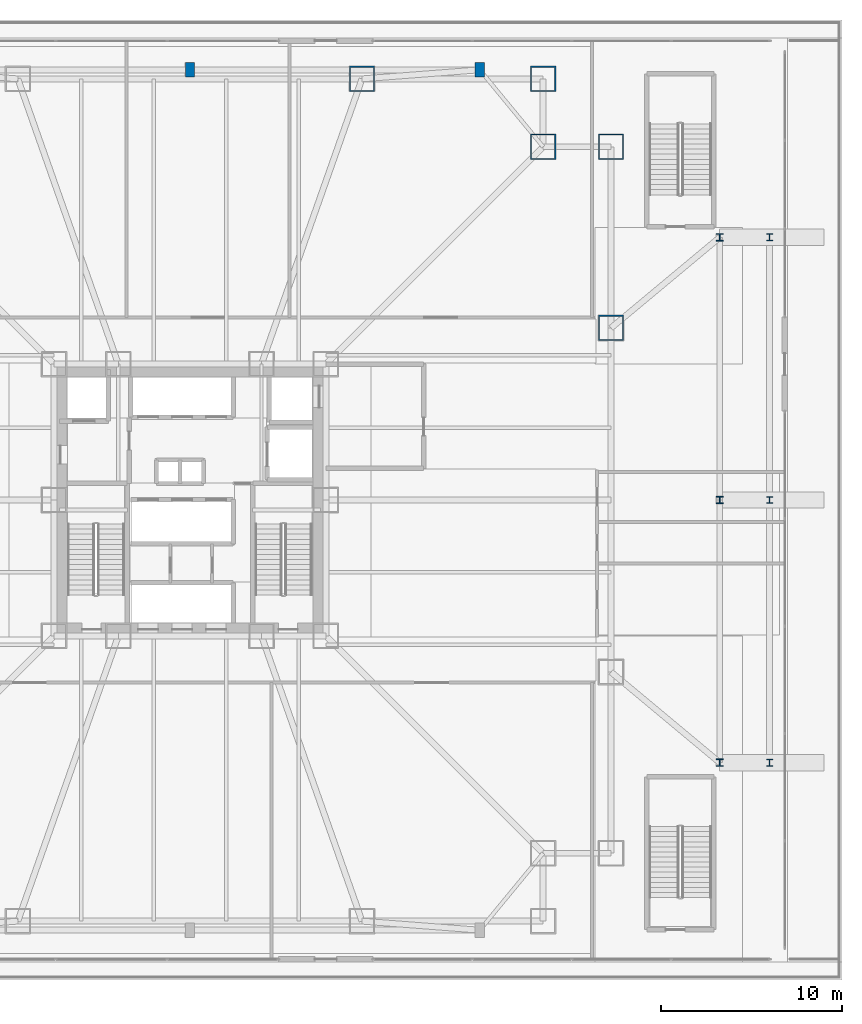
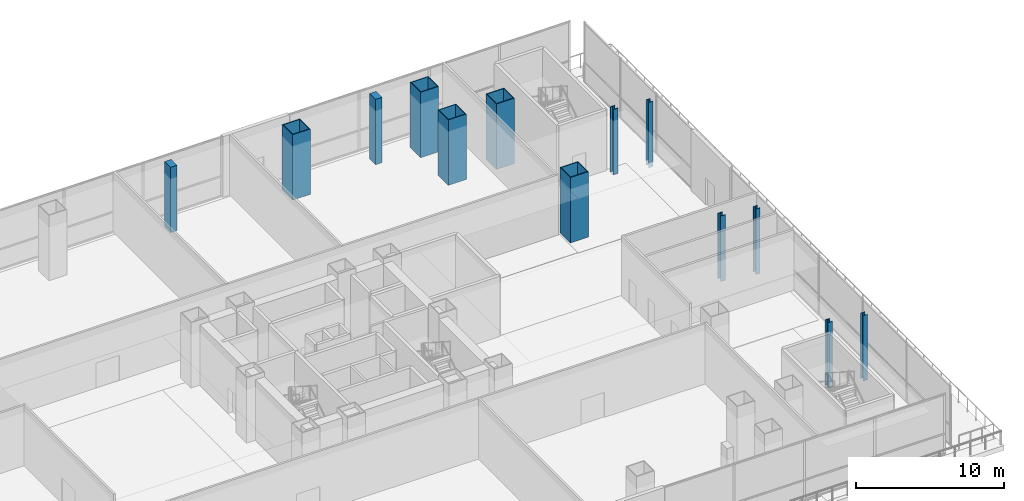
# One storey, part 4 of 36: 13 columns.
"""IFC4 building model written with IfcOpenShell, lengths in metres."""

import ifcopenshell
import ifcopenshell.guid

model = None  # the IFC model being written
_history = None  # IfcOwnerHistory: only IFC2X3 demands one
_inside = {}  # id of a spatial element -> (the spatial element, [elements in it])
_under = {}  # id of a project, library or spatial element -> (it, [spatial elements below it])
_declared = {}  # id of a project -> (the project, [libraries it declares])
_typed = {}  # id of a type object -> (the type object, [elements of that type])
_made_of = {}  # id of a material, layer set ... -> (it, [elements and type objects made of it])


def new_model(schema):
    """Start an empty IFC model of exactly this schema.

    Asked for "IFC4X3", IfcOpenShell would pick the latest addendum, in which some entities
    have other attributes; the version numbers below select the first issue.
    IFC2X3 requires an IfcOwnerHistory on every rooted entity: one is made here for all.
    """
    global model, _history
    if schema == "IFC4X3":
        model = ifcopenshell.file(schema_version=(4, 3, 0, 0))
    else:
        model = ifcopenshell.file(schema=schema)
    _inside.clear()
    _under.clear()
    _declared.clear()
    _typed.clear()
    _made_of.clear()
    _history = None
    if model.schema == "IFC2X3":
        org = make("IfcOrganization", Name="unknown")
        user = make(
            "IfcPersonAndOrganization",
            ThePerson=make("IfcPerson", FamilyName="unknown"),
            TheOrganization=org,
        )
        app = make(
            "IfcApplication",
            ApplicationDeveloper=org,
            Version="unknown",
            ApplicationFullName="unknown",
            ApplicationIdentifier="unknown",
        )
        _history = make(
            "IfcOwnerHistory",
            OwningUser=user,
            OwningApplication=app,
            ChangeAction="ADDED",
            CreationDate=0,
        )
    return model


def make(cls, **values):
    """One entity of the class cls with the attributes given. An attribute that is None is left unset."""
    return model.create_entity(
        cls, **{name: value for name, value in values.items() if value is not None}
    )


def rooted(cls, **values):
    """An entity with a GlobalId (a new one), such as an element, a storey or a relation."""
    return make(cls, GlobalId=ifcopenshell.guid.new(), OwnerHistory=_history, **values)


def si_unit(unit_type, name, prefix=None):
    """IfcSIUnit, for example si_unit("LENGTHUNIT", "METRE", prefix="MILLI")."""
    return make("IfcSIUnit", UnitType=unit_type, Prefix=prefix, Name=name)


def assignment(units):
    """IfcUnitAssignment: the units of a project."""
    return None if units is None else make("IfcUnitAssignment", Units=units)


def point(xyz):
    """IfcCartesianPoint."""
    return None if xyz is None else make("IfcCartesianPoint", Coordinates=xyz)


def direction(xyz):
    """IfcDirection."""
    return None if xyz is None else make("IfcDirection", DirectionRatios=xyz)


def frame(location, z_axis=None, x_axis=None):
    """IfcAxis2Placement3D, a coordinate frame: its origin and axes. An axis left out is left unset."""
    return make(
        "IfcAxis2Placement3D",
        Location=point(location),
        Axis=direction(z_axis),
        RefDirection=direction(x_axis),
    )


def frame_2d(location, x_axis=None):
    """IfcAxis2Placement2D, a coordinate frame in the plane: its origin and x axis."""
    return make(
        "IfcAxis2Placement2D", Location=point(location), RefDirection=direction(x_axis)
    )


def origin():
    """The frame at (0, 0, 0) with its axes left unset."""
    return frame((0.0, 0.0, 0.0))


def origin_2d():
    """The frame at (0, 0) in the plane with its x axis left unset."""
    return frame_2d((0.0, 0.0))


def place(relative_to, where):
    """IfcLocalPlacement: puts the frame where relative to a parent placement (None: the world)."""
    return make(
        "IfcLocalPlacement", PlacementRelTo=relative_to, RelativePlacement=where
    )


def context(
    kind, dimensions, precision=None, world=None, true_north=None, identifier=None
):
    """IfcGeometricRepresentationContext, for example the 3D "Model" context."""
    return make(
        "IfcGeometricRepresentationContext",
        ContextIdentifier=identifier,
        ContextType=kind,
        CoordinateSpaceDimension=dimensions,
        Precision=precision,
        WorldCoordinateSystem=world,
        TrueNorth=true_north,
    )


def subcontext(parent, identifier, kind, view, scale=None):
    """IfcGeometricRepresentationSubContext, for example "Body" below "Model"."""
    return make(
        "IfcGeometricRepresentationSubContext",
        ContextIdentifier=identifier,
        ContextType=kind,
        ParentContext=parent,
        TargetScale=scale,
        TargetView=view,
    )


def project(units=None, contexts=None):
    """IfcProject with its units and contexts."""
    return rooted(
        "IfcProject",
        Name="project",
        RepresentationContexts=contexts,
        UnitsInContext=assignment(units),
    )


def spatial(cls, under=None, at=None, **own):
    """A site, building, storey or space (cls), placed at a placement, below another one or the project."""
    s = rooted(cls, ObjectPlacement=at, **own)
    if under is not None:
        _under.setdefault(under.id(), (under, []))[1].append(s)
    return s


def profile(cls, at=None, kind="AREA", **sizes):
    """A parametric profile (cls). Its sizes go by their IFC names, for example OverallWidth=200.0."""
    return make(cls, ProfileType=kind, Position=at, **sizes)


def rectangle(**sizes):
    """IfcRectangleProfileDef."""
    return profile("IfcRectangleProfileDef", **sizes)


def hollow_rectangle(**sizes):
    """IfcRectangleHollowProfileDef."""
    return profile("IfcRectangleHollowProfileDef", **sizes)


def i_section(**sizes):
    """IfcIShapeProfileDef."""
    return profile("IfcIShapeProfileDef", **sizes)


def extrude(swept, where, along, depth):
    """IfcExtrudedAreaSolid: the profile swept, set in the frame where, extruded along a direction by depth."""
    return make(
        "IfcExtrudedAreaSolid",
        SweptArea=swept,
        Position=where,
        ExtrudedDirection=direction(along),
        Depth=depth,
    )


def shape(context_of_items, identifier, shape_type, items):
    """IfcShapeRepresentation: the items that make up one representation, for example the "Body"."""
    return make(
        "IfcShapeRepresentation",
        ContextOfItems=context_of_items,
        RepresentationIdentifier=identifier,
        RepresentationType=shape_type,
        Items=items,
    )


def material(Name=None, Category=None):
    """IfcMaterial."""
    return make("IfcMaterial", Name=Name, Category=Category)


def material_profile(
    of_material, cross_section, Name=None, Category=None, Priority=None
):
    """IfcMaterialProfile: a cross section and its material."""
    return make(
        "IfcMaterialProfile",
        Name=Name,
        Material=of_material,
        Profile=cross_section,
        Priority=Priority,
        Category=Category,
    )


def profile_set(profiles, Name=None, composite=None):
    """IfcMaterialProfileSet."""
    return make(
        "IfcMaterialProfileSet",
        Name=Name,
        MaterialProfiles=profiles,
        CompositeProfile=composite,
    )


def made_of(thing, what):
    """Note that an element or type object is made of a material, layer set ...; save() writes the relation."""
    if what is not None:
        _made_of.setdefault(what.id(), (what, []))[1].append(thing)
    return thing


def type_object(cls, material=None, **own):
    """A type object (cls), such as IfcWallType, which elements share."""
    return made_of(rooted(cls, **own), material)


def element(
    cls,
    number,
    at=None,
    inside=None,
    cuts=None,
    type_object=None,
    material=None,
    context=None,
    identifier="Body",
    shape_type=None,
    held_by="IfcProductDefinitionShape",
    body=None,
    shapes=None,
    **own,
):
    """One element of the class cls, such as IfcWall. Its Tag is "e" and its number.

    at: its placement. inside: the storey or other place that contains it. cuts: it is an
    opening in that element (IfcRelVoidsElement). A single representation is given by context,
    identifier, shape_type and body (its items); several are given by shapes. held_by: the class
    of the entity that holds the representations. save() writes the other relations.
    """
    e = rooted(cls, Tag="e%d" % number, ObjectPlacement=at, **own)
    if body is not None:
        shapes = [shape(context, identifier, shape_type, body)]
    if shapes is not None:
        e.Representation = make(held_by, Representations=shapes)
    if inside is not None:
        _inside.setdefault(inside.id(), (inside, []))[1].append(e)
    if cuts is not None:
        rooted(
            "IfcRelVoidsElement", RelatingBuildingElement=cuts, RelatedOpeningElement=e
        )
    if type_object is not None:
        _typed.setdefault(type_object.id(), (type_object, []))[1].append(e)
    return made_of(e, material)


def aggregate(whole, parts):
    """IfcRelAggregates: a whole, such as a stair, and the parts it consists of."""
    return rooted("IfcRelAggregates", RelatingObject=whole, RelatedObjects=parts)


def save(model, path):
    """Write the relations noted so far, then the file.

    IfcRelAggregates (storeys below a building ...), IfcRelContainedInSpatialStructure (elements
    in a storey), IfcRelDefinesByType, IfcRelAssociatesMaterial and IfcRelDeclares: one each for
    every whole, place, type object, material and project.
    """
    for whole, parts in _under.values():
        aggregate(whole, parts)
    for where, things in _inside.values():
        rooted(
            "IfcRelContainedInSpatialStructure",
            RelatedElements=things,
            RelatingStructure=where,
        )
    for kind, things in _typed.values():
        rooted("IfcRelDefinesByType", RelatedObjects=things, RelatingType=kind)
    for what, things in _made_of.values():
        rooted("IfcRelAssociatesMaterial", RelatedObjects=things, RelatingMaterial=what)
    for by, libraries in _declared.values():
        rooted("IfcRelDeclares", RelatingContext=by, RelatedDefinitions=libraries)
    model.write(path)


model = new_model("IFC4")

# Units and contexts
model_context = context("Model", 3, precision=1e-05, world=origin(), true_north=direction((0.0, 1.0)))
body_context = subcontext(model_context, "Body", "Model", "MODEL_VIEW")
ifc_project = project(units=[si_unit("LENGTHUNIT", "METRE"), si_unit("AREAUNIT", "SQUARE_METRE"), si_unit("VOLUMEUNIT", "CUBIC_METRE"), si_unit("PLANEANGLEUNIT", "RADIAN"), si_unit("MASSUNIT", "GRAM", prefix="KILO")], contexts=[model_context])

# Site, building, storey
site_placement = place(None, origin())
site = spatial("IfcSite", under=ifc_project, at=site_placement, CompositionType="ELEMENT")
building_placement = place(site_placement, origin())
building = spatial("IfcBuilding", under=site, at=building_placement, Name="Trevonay Congress Spire", CompositionType="ELEMENT")
storey_placement = place(building_placement, frame((0.0, 0.0, 16.199951171875)))
storey = spatial("IfcBuildingStorey", under=building, at=storey_placement, Name="L03", CompositionType="ELEMENT", Elevation=16.199951171875)

# Columns
ifc_material_1 = material(Name="Steel ASTM A572 Grade 50", Category="steel")
ifc_material_profile_1 = material_profile(ifc_material_1, hollow_rectangle(XDim=1.39990234375, YDim=1.39990234375, WallThickness=0.06005859375, at=origin_2d()), Name="BOX 1400x1400x60")
ifc_profile_set_1 = profile_set([ifc_material_profile_1], Name="Steel ASTM A572 Grade 50")
column_type_1 = type_object("IfcColumnType", Name="COL-CORE-BOX1400", PredefinedType="COLUMN", material=ifc_profile_set_1)
for number, where, z_axis, x_axis, name in (
    (1, (9.5, 23.25, 0.0), (0.0, 0.0, 1.0), (1.0, 0.0, 0.0), "L03 column C01 at TM-N5"),
    (2, (19.5, 23.25, 0.0), (0.0, 0.0, 1.0), (1.0, 0.0, 0.0), "L03 column C01 at TM-N6"),
    (3, (23.25, 9.5, 0.0), (0.0, 0.0, 1.0), (1.0, 0.0, 0.0), "L03 column C01 at TM-E5"),
    (4, (23.25, 19.5, 0.0), (0.0, 0.0, 1.0), (1.0, 0.0, 0.0), "L03 column C01 at TM-E6"),
    (5, (19.5, 19.5, 0.0), (0.0, 0.0, 1.0), (1.0, 0.0, 0.0), "L03 column C01 at TM-CNE"),
):
    element("IfcColumn", number, at=place(storey_placement, frame(where, z_axis=z_axis, x_axis=x_axis)), inside=storey, type_object=column_type_1, Name=name, PredefinedType="COLUMN", context=body_context, shape_type="SweptSolid", body=[
        extrude(hollow_rectangle(XDim=1.39990234375, YDim=1.39990234375, WallThickness=0.06005859375, at=origin_2d()), origin(), (0.0, 0.0, 1.0), 5.400146484375),
    ])
ifc_material_2 = material(Name="Concrete C60/75", Category="concrete")
ifc_material_profile_2 = material_profile(ifc_material_2, rectangle(XDim=0.5, YDim=0.800048828125, at=origin_2d()), Name="RC 800x500")
ifc_profile_set_2 = profile_set([ifc_material_profile_2], Name="Concrete C60/75")
column_type_2 = type_object("IfcColumnType", Name="COL-PIL-RC800X500", PredefinedType="PILASTER", material=ifc_profile_set_2)
for number, where, z_axis, x_axis, name in (
    (6, (0.0, 23.75, 0.0), (0.0, 0.0, 1.0), (1.0, 0.0, 0.0), "L03 column C13 at PN-2"),
    (7, (16.0, 23.75, 0.0), (0.0, 0.0, 1.0), (1.0, 0.0, 0.0), "L03 column C13 at PN-3"),
):
    element("IfcColumn", number, at=place(storey_placement, frame(where, z_axis=z_axis, x_axis=x_axis)), inside=storey, type_object=column_type_2, Name=name, PredefinedType="PILASTER", context=body_context, shape_type="SweptSolid", body=[
        extrude(rectangle(XDim=0.5, YDim=0.800048828125, at=origin_2d()), origin(), (0.0, 0.0, 1.0), 5.400146484375),
    ])
ifc_material_profile_3 = material_profile(ifc_material_1, i_section(OverallWidth=0.367919921875, OverallDepth=0.425048828125, WebThickness=0.02978515625, FlangeThickness=0.047607421875, FilletRadius=0.02001953125, at=origin_2d()), Name="W360x421")
ifc_profile_set_3 = profile_set([ifc_material_profile_3], Name="Steel ASTM A572 Grade 50")
column_type_3 = type_object("IfcColumnType", Name="COL-POD-W360X421", PredefinedType="COLUMN", material=ifc_profile_set_3)
for number, where, z_axis, x_axis, name in (
    (8, (29.25, -14.5, 0.0), (0.0, 0.0, 1.0), (1.0, 0.0, 0.0), "L03 column C08 at PE-1"),
    (9, (29.25, 0.0, 0.0), (0.0, 0.0, 1.0), (1.0, 0.0, 0.0), "L03 column C08 at PE-2"),
    (10, (29.25, 14.5, 0.0), (0.0, 0.0, 1.0), (1.0, 0.0, 0.0), "L03 column C08 at PE-3"),
):
    element("IfcColumn", number, at=place(storey_placement, frame(where, z_axis=z_axis, x_axis=x_axis)), inside=storey, type_object=column_type_3, Name=name, PredefinedType="COLUMN", context=body_context, shape_type="SweptSolid", body=[
        extrude(i_section(OverallWidth=0.367919921875, OverallDepth=0.425048828125, WebThickness=0.02978515625, FlangeThickness=0.047607421875, FilletRadius=0.02001953125, at=origin_2d()), origin(), (0.0, 0.0, 1.0), 5.400146484375),
    ])
ifc_material_profile_4 = material_profile(ifc_material_1, i_section(OverallWidth=0.330078125, OverallDepth=0.3798828125, WebThickness=0.016845703125, FlangeThickness=0.027587890625, FilletRadius=0.02001953125, at=origin_2d()), Name="W360x237")
ifc_profile_set_4 = profile_set([ifc_material_profile_4], Name="Steel ASTM A572 Grade 50")
column_type_4 = type_object("IfcColumnType", Name="COL-STEP-W360X237", PredefinedType="COLUMN", material=ifc_profile_set_4)
for number, where, z_axis, x_axis, name in (
    (11, (32.0, -14.5, -0.39990234375), (0.0, 0.0, 1.0), (1.0, 0.0, 0.0), "L03 column C11 at SE-1"),
    (12, (32.0, 0.0, -0.39990234375), (0.0, 0.0, 1.0), (1.0, 0.0, 0.0), "L03 column C11 at SE-2"),
    (13, (32.0, 14.5, -0.39990234375), (0.0, 0.0, 1.0), (1.0, 0.0, 0.0), "L03 column C11 at SE-3"),
):
    element("IfcColumn", number, at=place(storey_placement, frame(where, z_axis=z_axis, x_axis=x_axis)), inside=storey, type_object=column_type_4, Name=name, PredefinedType="COLUMN", context=body_context, shape_type="SweptSolid", body=[
        extrude(i_section(OverallWidth=0.330078125, OverallDepth=0.3798828125, WebThickness=0.016845703125, FlangeThickness=0.027587890625, FilletRadius=0.02001953125, at=origin_2d()), origin(), (0.0, 0.0, 1.0), 5.39990234375),
    ])

save(model, "model.ifc")
